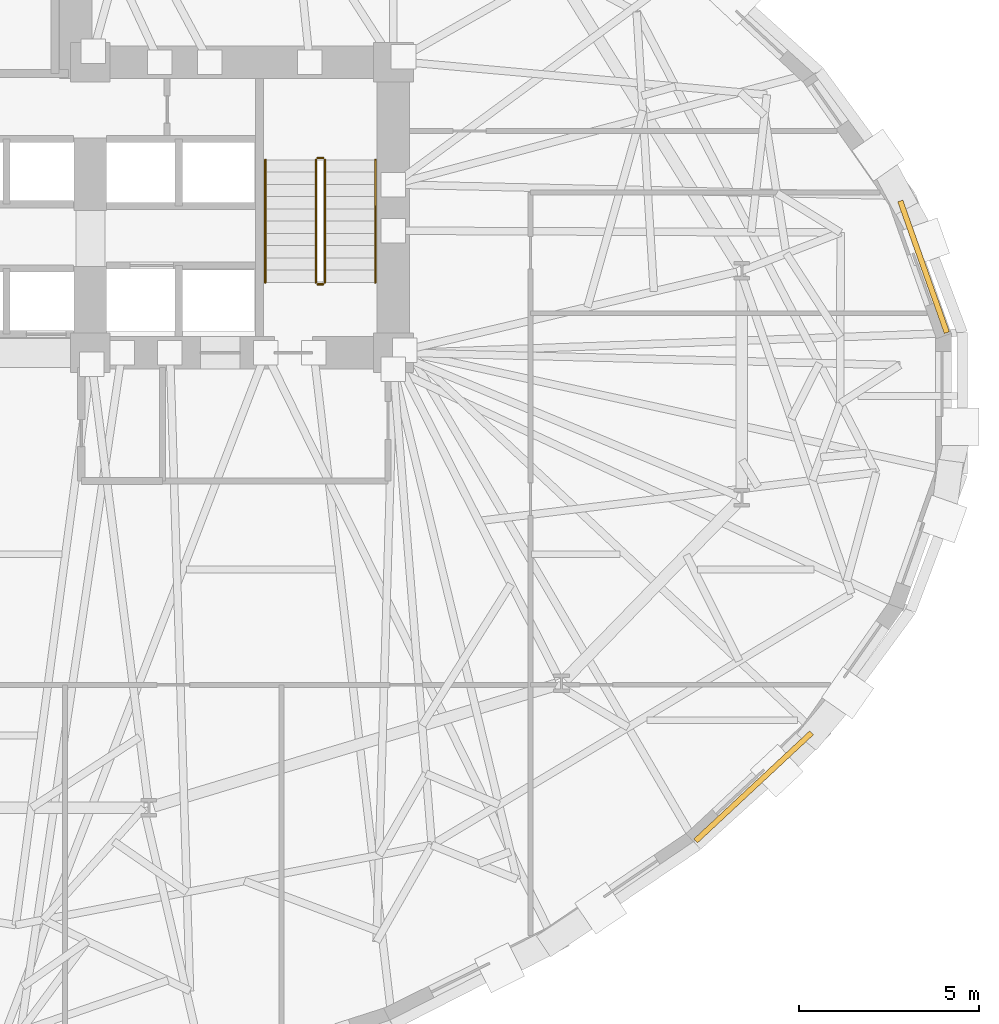
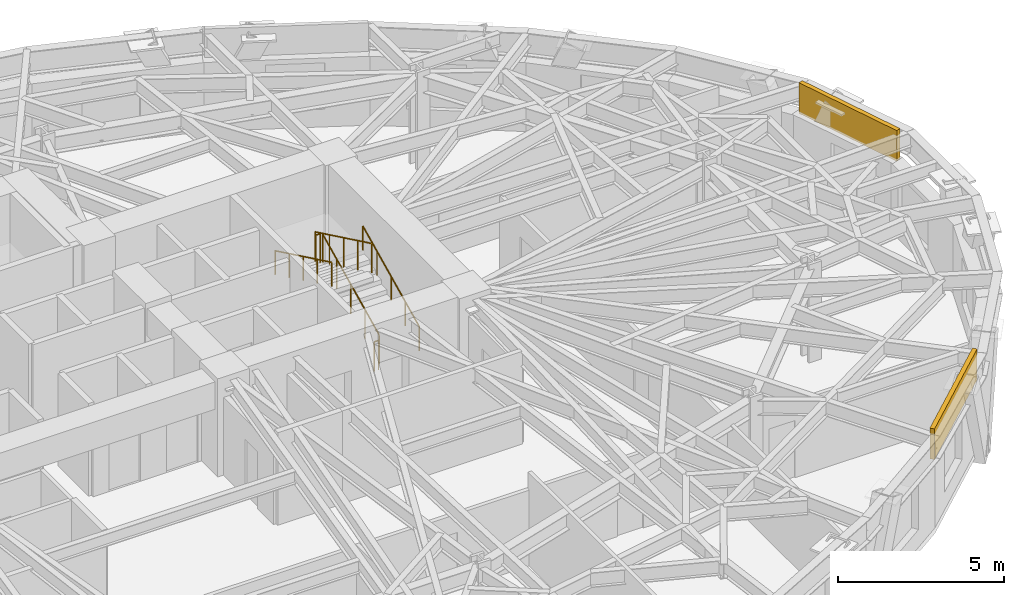
# One storey, part 13 of 14: 6 railings, 2 coverings.
"""IFC4 building model written with IfcOpenShell, lengths in metres."""

from ifc_helpers import new_model, si_unit, direction, frame, origin, origin_2d, place, context, subcontext, project, spatial, rectangle, circle, extrude, material, layer, layer_set, type_object, element, save


model = new_model("IFC4")

# Units and contexts
model_context = context("Model", 3, precision=1e-05, world=origin(), true_north=direction((0.0, 1.0)))
body_context = subcontext(model_context, "Body", "Model", "MODEL_VIEW")
ifc_project = project(units=[si_unit("LENGTHUNIT", "METRE"), si_unit("AREAUNIT", "SQUARE_METRE"), si_unit("VOLUMEUNIT", "CUBIC_METRE"), si_unit("PLANEANGLEUNIT", "RADIAN"), si_unit("MASSUNIT", "GRAM", prefix="KILO")], contexts=[model_context])

# Site, building, storey
site_placement = place(None, origin())
site = spatial("IfcSite", under=ifc_project, at=site_placement, CompositionType="ELEMENT")
building_placement = place(site_placement, origin())
building = spatial("IfcBuilding", under=site, at=building_placement, Name="Keldmark Tower", CompositionType="ELEMENT")
storey_placement = place(building_placement, frame((0.0, 0.0, 59.39990234375)))
storey = spatial("IfcBuildingStorey", under=building, at=storey_placement, Name="L15", CompositionType="ELEMENT", Elevation=59.39990234375)

# Coverings
ifc_material_1 = material(Name="Honed Kasota Buff Dolomitic Limestone", Category="masonry")
ifc_layer = layer(ifc_material_1, 0.074951171875)
ifc_layer_set = layer_set([ifc_layer], Name="Honed Kasota Buff Dolomitic Limestone")
covering_type = type_object("IfcCoveringType", Name="Kasota Buff Limestone Spandrel Cladding Band", PredefinedType="CLADDING", material=ifc_layer_set)
covering_1_placement = place(storey_placement, frame((28.289306640625, 3.784912109375, 2.453125), z_axis=(0.0, 0.0, 1.0), x_axis=(-0.333280336873, 0.942827776985, 0.0)))
element("IfcCovering", 1, at=covering_1_placement, inside=storey, type_object=covering_type, Name="L15 Kasota Limestone Spandrel Band 01", PredefinedType="CLADDING", context=body_context, shape_type="SweptSolid", body=[
    extrude(rectangle(XDim=3.870361328125, YDim=0.14990234375, at=origin_2d()), origin(), (0.0, 0.0, 1.0), 1.126953125),
])
covering_2_placement = place(storey_placement, frame((23.579833984375, -10.626220703125, 2.453125), z_axis=(0.0, 0.0, 1.0), x_axis=(0.731341798391, 0.682011124489, 0.0)))
element("IfcCovering", 2, at=covering_2_placement, inside=storey, type_object=covering_type, Name="L15 Kasota Limestone Spandrel Band 29", PredefinedType="CLADDING", context=body_context, shape_type="SweptSolid", body=[
    extrude(rectangle(XDim=4.38818359375, YDim=0.14990234375, at=origin_2d()), origin(), (0.0, 0.0, 1.0), 1.126953125),
])

# Railings
ifc_material_2 = material(Name="Painted Steel ASTM A500 Grade B", Category="steel")
railing_type_1 = type_object("IfcRailingType", Name="Painted Steel Stair Well Guard 1100 mm", PredefinedType="GUARDRAIL", material=ifc_material_2)
railing_1_placement = place(storey_placement, frame((11.699951171875, 3.35009765625, 0.163818359375)))
element("IfcRailing", 3, at=railing_1_placement, inside=storey, type_object=railing_type_1, Name="L15 ST2 stair guard 1", PredefinedType="GUARDRAIL", context=body_context, shape_type="SweptSolid", body=[
    extrude(circle(Radius=0.02392578125, at=origin_2d()), frame((0.0, 0.0, 1.076171875), z_axis=(0.0, 0.901080338394, 0.433652192153), x_axis=(-1.0, 0.0, 0.0)), (0.0, 0.0, 1.0), 3.773193359375),
    extrude(circle(Radius=0.02099609375, at=origin_2d()), origin(), (0.0, 0.0, 1.0), 1.052001953125),
    extrude(circle(Radius=0.02099609375, at=origin_2d()), frame((0.0, 0.85009765625, 0.4091796875)), (0.0, 0.0, 1.0), 1.052001953125),
    extrude(circle(Radius=0.02099609375, at=origin_2d()), frame((0.0, 1.699951171875, 0.818115234375)), (0.0, 0.0, 1.0), 1.052001953125),
    extrude(circle(Radius=0.02099609375, at=origin_2d()), frame((0.0, 2.5498046875, 1.22705078125)), (0.0, 0.0, 1.0), 1.052001953125),
    extrude(circle(Radius=0.02099609375, at=origin_2d()), frame((0.0, 3.39990234375, 1.63623046875)), (0.0, 0.0, 1.0), 1.052001953125),
])
railing_2_placement = place(storey_placement, frame((11.64990234375, 6.800048828125, 1.800048828125)))
element("IfcRailing", 4, at=railing_2_placement, inside=storey, type_object=railing_type_1, Name="L15 ST2 stair guard 2", PredefinedType="GUARDRAIL", context=body_context, shape_type="SweptSolid", body=[
    extrude(circle(Radius=0.02392578125, at=origin_2d()), frame((0.0, 0.0, 1.076171875), z_axis=(-1.0, 0.0, 0.0), x_axis=(0.0, -1.0, 0.0)), (0.0, 0.0, 1.0), 0.14990234375),
    extrude(circle(Radius=0.02099609375, at=origin_2d()), origin(), (0.0, 0.0, 1.0), 1.052001953125),
    extrude(circle(Radius=0.02099609375, at=origin_2d()), frame((-0.14990234375, 0.0, 0.0)), (0.0, 0.0, 1.0), 1.052001953125),
])
railing_3_placement = place(storey_placement, frame((11.449951171875, 6.75, 1.963623046875)))
element("IfcRailing", 5, at=railing_3_placement, inside=storey, type_object=railing_type_1, Name="L15 ST2 stair guard 3", PredefinedType="GUARDRAIL", context=body_context, shape_type="SweptSolid", body=[
    extrude(circle(Radius=0.02392578125, at=origin_2d()), frame((0.0, 0.0, 1.076171875), z_axis=(0.0, -0.901055053782, 0.433704726806), x_axis=(1.0, 0.0, 0.0)), (0.0, 0.0, 1.0), 3.773193359375),
    extrude(circle(Radius=0.02099609375, at=origin_2d()), origin(), (0.0, 0.0, 1.0), 1.052001953125),
    extrude(circle(Radius=0.02099609375, at=origin_2d()), frame((0.0, -0.85009765625, 0.4091796875)), (0.0, 0.0, 1.0), 1.052001953125),
    extrude(circle(Radius=0.02099609375, at=origin_2d()), frame((0.0, -1.699951171875, 0.818359375)), (0.0, 0.0, 1.0), 1.052001953125),
    extrude(circle(Radius=0.02099609375, at=origin_2d()), frame((0.0, -2.5498046875, 1.227294921875)), (0.0, 0.0, 1.0), 1.052001953125),
    extrude(circle(Radius=0.02099609375, at=origin_2d()), frame((0.0, -3.39990234375, 1.636474609375)), (0.0, 0.0, 1.0), 1.052001953125),
])
railing_4_placement = place(storey_placement, frame((11.64990234375, 3.300048828125, 0.0)))
element("IfcRailing", 6, at=railing_4_placement, inside=storey, type_object=railing_type_1, Name="L15 ST2 stair guard 4", PredefinedType="GUARDRAIL", context=body_context, shape_type="SweptSolid", body=[
    extrude(circle(Radius=0.02392578125, at=origin_2d()), frame((0.0, 0.0, 1.076171875), z_axis=(-1.0, 0.0, 0.0), x_axis=(0.0, -1.0, 0.0)), (0.0, 0.0, 1.0), 0.14990234375),
    extrude(circle(Radius=0.02099609375, at=origin_2d()), origin(), (0.0, 0.0, 1.0), 1.052001953125),
    extrude(circle(Radius=0.02099609375, at=origin_2d()), frame((-0.14990234375, 0.0, 0.0)), (0.0, 0.0, 1.0), 1.052001953125),
])
ifc_material_3 = material(Name="Stainless Steel AISI 316L", Category="steel")
railing_type_2 = type_object("IfcRailingType", Name="Stainless Steel Stair Handrail 900 mm", PredefinedType="HANDRAIL", material=ifc_material_3)
railing_5_placement = place(storey_placement, frame((13.10009765625, 3.35009765625, 0.163818359375)))
element("IfcRailing", 7, at=railing_5_placement, inside=storey, type_object=railing_type_2, Name="L15 ST2 stair handrail 1", PredefinedType="HANDRAIL", context=body_context, shape_type="SweptSolid", body=[
    extrude(circle(Radius=0.02392578125, at=origin_2d()), frame((0.0, 0.0, 0.8759765625), z_axis=(0.0, 0.901080338394, 0.433652192153), x_axis=(-1.0, 0.0, 0.0)), (0.0, 0.0, 1.0), 3.773193359375),
    extrude(circle(Radius=0.02099609375, at=origin_2d()), origin(), (0.0, 0.0, 1.0), 0.851806640625),
    extrude(circle(Radius=0.02099609375, at=origin_2d()), frame((0.0, 0.85009765625, 0.4091796875)), (0.0, 0.0, 1.0), 0.851806640625),
    extrude(circle(Radius=0.02099609375, at=origin_2d()), frame((0.0, 1.699951171875, 0.818115234375)), (0.0, 0.0, 1.0), 0.851806640625),
    extrude(circle(Radius=0.02099609375, at=origin_2d()), frame((0.0, 2.5498046875, 1.22705078125)), (0.0, 0.0, 1.0), 0.851806640625),
    extrude(circle(Radius=0.02099609375, at=origin_2d()), frame((0.0, 3.39990234375, 1.63623046875)), (0.0, 0.0, 1.0), 0.851806640625),
])
railing_6_placement = place(storey_placement, frame((10.050048828125, 6.75, 1.963623046875)))
element("IfcRailing", 8, at=railing_6_placement, inside=storey, type_object=railing_type_2, Name="L15 ST2 stair handrail 2", PredefinedType="HANDRAIL", context=body_context, shape_type="SweptSolid", body=[
    extrude(circle(Radius=0.02392578125, at=origin_2d()), frame((0.0, 0.0, 0.8759765625), z_axis=(0.0, -0.901055053782, 0.433704726806), x_axis=(1.0, 0.0, 0.0)), (0.0, 0.0, 1.0), 3.773193359375),
    extrude(circle(Radius=0.02099609375, at=origin_2d()), origin(), (0.0, 0.0, 1.0), 0.851806640625),
    extrude(circle(Radius=0.02099609375, at=origin_2d()), frame((0.0, -0.85009765625, 0.4091796875)), (0.0, 0.0, 1.0), 0.851806640625),
    extrude(circle(Radius=0.02099609375, at=origin_2d()), frame((0.0, -1.699951171875, 0.818359375)), (0.0, 0.0, 1.0), 0.851806640625),
    extrude(circle(Radius=0.02099609375, at=origin_2d()), frame((0.0, -2.5498046875, 1.227294921875)), (0.0, 0.0, 1.0), 0.851806640625),
    extrude(circle(Radius=0.02099609375, at=origin_2d()), frame((0.0, -3.39990234375, 1.636474609375)), (0.0, 0.0, 1.0), 0.851806640625),
])

save(model, "model.ifc")
